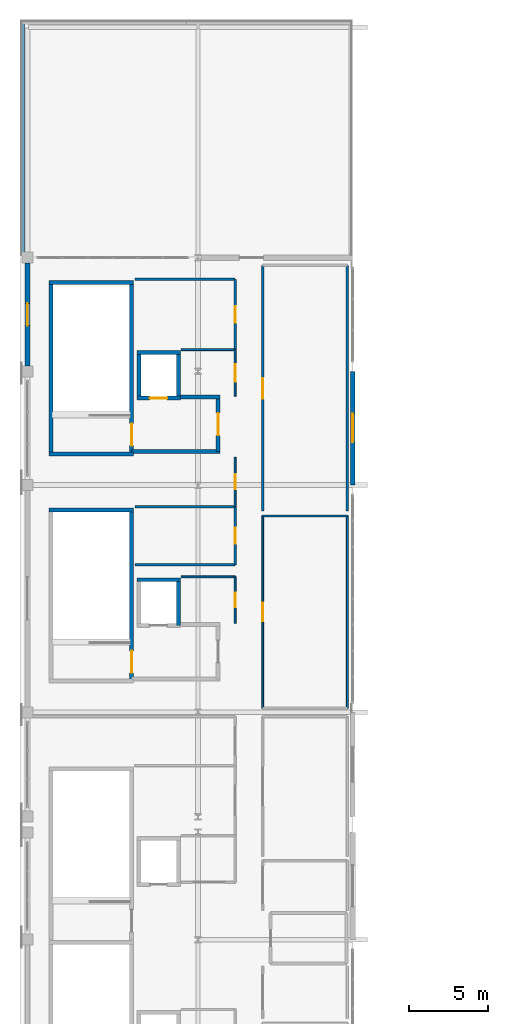
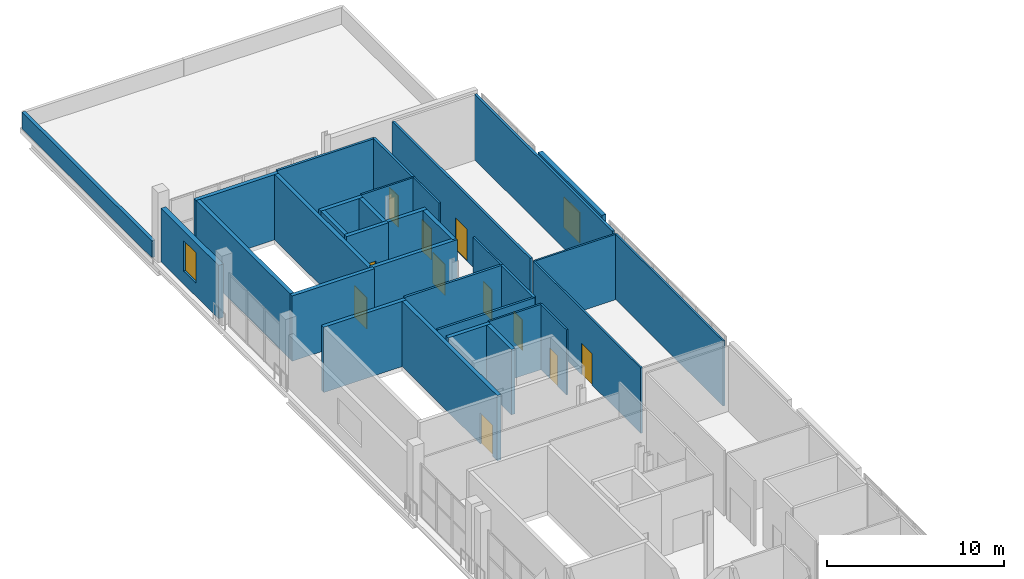
# One storey, part 15 of 19: 33 walls, 11 doors, 2 windows, 13 openings.
"""IFC4 building model written with IfcOpenShell, lengths in metres."""

from ifc_helpers import new_model, si_unit, direction, frame, frame_2d, origin, place, context, subcontext, project, spatial, rectangle, extrude, material, layer, layer_set, type_object, element, fill, save


model = new_model("IFC4")

# Units and contexts
model_context = context("Model", 3, precision=1e-05, world=origin(), true_north=direction((0.0, 1.0)))
body_context = subcontext(model_context, "Body", "Model", "MODEL_VIEW")
ifc_project = project(units=[si_unit("LENGTHUNIT", "METRE"), si_unit("AREAUNIT", "SQUARE_METRE"), si_unit("VOLUMEUNIT", "CUBIC_METRE"), si_unit("PLANEANGLEUNIT", "RADIAN"), si_unit("MASSUNIT", "GRAM", prefix="KILO")], contexts=[model_context])

# Site, building, storey
site_placement = place(None, origin())
site = spatial("IfcSite", under=ifc_project, at=site_placement, CompositionType="ELEMENT")
building_placement = place(site_placement, origin())
building = spatial("IfcBuilding", under=site, at=building_placement, Name="Koshinbarg Plaza Stadium", CompositionType="ELEMENT")
storey_placement = place(building_placement, frame((0.0, 0.0, 29.39990234375)))
storey = spatial("IfcBuildingStorey", under=building, at=storey_placement, Name="L06", CompositionType="ELEMENT", Elevation=29.39990234375)

# Wall
ifc_material_1 = material(Name="Concrete C40/50", Category="concrete")
ifc_layer_1 = layer(ifc_material_1, 0.25)
ifc_layer_set_1 = layer_set([ifc_layer_1], Name="Concrete C40/50")
wall_type_1 = type_object("IfcWallType", Name="WL-CORE-250", PredefinedType="SHEAR", material=ifc_layer_set_1)
wall_1_placement = place(storey_placement, frame((31.320068359375, 95.925048828125, 0.0), z_axis=(0.0, 0.0, 1.0), x_axis=(-1.0, 0.0, 0.0)))
element("IfcWall", 1, at=wall_1_placement, inside=storey, type_object=wall_type_1, Name="L06 core stair shear wall C05-far IWL-L06-0131", PredefinedType="SHEAR", context=body_context, shape_type="SweptSolid", body=[
    extrude(rectangle(XDim=5.3701171875, YDim=0.25, at=frame_2d((2.68505859375, 0.0))), origin(), (0.0, 0.0, 1.0), 4.5),
])

# Wall, opening, door
wall_2_placement = place(storey_placement, frame((31.195068359375, 85.074951171875, 0.0), z_axis=(0.0, 0.0, 1.0), x_axis=(0.0, 1.0, 0.0)))
wall_2 = element("IfcWall", 2, at=wall_2_placement, inside=storey, type_object=wall_type_1, Name="L06 core stair shear wall C05-right IWL-L06-0133", PredefinedType="SHEAR", context=body_context, shape_type="SweptSolid", body=[
    extrude(rectangle(XDim=10.85009765625, YDim=0.25, at=frame_2d((5.425048828125, 0.0))), origin(), (0.0, 0.0, 1.0), 4.5),
])
opening_1_placement = place(wall_2_placement, frame((0.52001953125, 0.0, 0.0)))
opening_1 = element("IfcOpeningElement", 3, at=opening_1_placement, cuts=wall_2, Name="Opening D-0095", PredefinedType="OPENING", context=body_context, shape_type="SweptSolid", body=[
    extrude(rectangle(XDim=1.39990234375, YDim=2.14990234375, at=frame_2d((0.699951171875, 1.074951171875))), frame((0.0, 0.135009765625, 0.0), z_axis=(0.0, -1.0, 0.0), x_axis=(1.0, 0.0, 0.0)), (0.0, 0.0, 1.0), 0.27001953125),
])
ifc_material_2 = material(Name="Painted galvanized steel fire door", Category="steel")
door_type_1 = type_object("IfcDoorType", Name="DR-STAIR-1400", OperationType="NOTDEFINED", PredefinedType="DOOR", material=ifc_material_2)
door_1_placement = place(opening_1_placement, origin())
door_1 = element("IfcDoor", 4, at=door_1_placement, inside=storey, type_object=door_type_1, Name="L06 exit stair door C05", OperationType="SINGLE_SWING_LEFT", OverallHeight=2.14990234375, OverallWidth=1.39990234375, PredefinedType="DOOR", context=body_context, shape_type="SweptSolid", body=[
    extrude(rectangle(XDim=1.39990234375, YDim=2.14990234375, at=frame_2d((0.699951171875, 1.074951171875))), frame((0.0, 0.02490234375, 0.0), z_axis=(0.0, -1.0, 0.0), x_axis=(1.0, 0.0, 0.0)), (0.0, 0.0, 1.0), 0.050048828125),
])
fill(opening_1, door_1)

# Walls
for number, where, z_axis, x_axis, name in (
    (5, (25.949951171875, 99.47509765625, 0.0), (0.0, 0.0, 1.0), (1.0, 0.0, 0.0), "L06 core stair shear wall C06-near IWL-L06-0158"),
    (6, (31.320068359375, 110.324951171875, 0.0), (0.0, 0.0, 1.0), (-1.0, 0.0, 0.0), "L06 core stair shear wall C06-far IWL-L06-0159"),
):
    element("IfcWall", number, at=place(storey_placement, frame(where, z_axis=z_axis, x_axis=x_axis)), inside=storey, type_object=wall_type_1, Name=name, PredefinedType="SHEAR", context=body_context, shape_type="SweptSolid", body=[
        extrude(rectangle(XDim=5.3701171875, YDim=0.25, at=frame_2d((2.68505859375, 0.0))), origin(), (0.0, 0.0, 1.0), 4.5),
    ])
wall_3_placement = place(storey_placement, frame((26.074951171875, 99.47509765625, 0.0), z_axis=(0.0, 0.0, 1.0), x_axis=(0.0, 1.0, 0.0)))
element("IfcWall", 7, at=wall_3_placement, inside=storey, type_object=wall_type_1, Name="L06 core stair shear wall C06-left IWL-L06-0160", PredefinedType="SHEAR", context=body_context, shape_type="SweptSolid", body=[
    extrude(rectangle(XDim=10.849853515625, YDim=0.25, at=frame_2d((5.4248046875, 0.0))), origin(), (0.0, 0.0, 1.0), 4.5),
])

# Wall, opening, door
wall_4_placement = place(storey_placement, frame((31.195068359375, 99.47509765625, 0.0), z_axis=(0.0, 0.0, 1.0), x_axis=(0.0, 1.0, 0.0)))
wall_4 = element("IfcWall", 8, at=wall_4_placement, inside=storey, type_object=wall_type_1, Name="L06 core stair shear wall C06-right IWL-L06-0161", PredefinedType="SHEAR", context=body_context, shape_type="SweptSolid", body=[
    extrude(rectangle(XDim=10.849853515625, YDim=0.25, at=frame_2d((5.4248046875, 0.0))), origin(), (0.0, 0.0, 1.0), 4.5),
])
opening_2_placement = place(wall_4_placement, frame((0.52001953125, 0.0, 0.0)))
opening_2 = element("IfcOpeningElement", 9, at=opening_2_placement, cuts=wall_4, Name="Opening D-0102", PredefinedType="OPENING", context=body_context, shape_type="SweptSolid", body=[
    extrude(rectangle(XDim=1.39990234375, YDim=2.14990234375, at=frame_2d((0.699951171875, 1.074951171875))), frame((0.0, 0.135009765625, 0.0), z_axis=(0.0, -1.0, 0.0), x_axis=(1.0, 0.0, 0.0)), (0.0, 0.0, 1.0), 0.27001953125),
])
door_2_placement = place(opening_2_placement, origin())
door_2 = element("IfcDoor", 10, at=door_2_placement, inside=storey, type_object=door_type_1, Name="L06 exit stair door C06", OperationType="SINGLE_SWING_LEFT", OverallHeight=2.14990234375, OverallWidth=1.39990234375, PredefinedType="DOOR", context=body_context, shape_type="SweptSolid", body=[
    extrude(rectangle(XDim=1.39990234375, YDim=2.14990234375, at=frame_2d((0.699951171875, 1.074951171875))), frame((0.0, 0.02490234375, 0.0), z_axis=(0.0, -1.0, 0.0), x_axis=(1.0, 0.0, 0.0)), (0.0, 0.0, 1.0), 0.050048828125),
])
fill(opening_2, door_2)

# Walls
wall_5_placement = place(storey_placement, frame((34.27490234375, 91.5, 0.0), z_axis=(0.0, 0.0, 1.0), x_axis=(-1.0, 0.0, 0.0)))
element("IfcWall", 11, at=wall_5_placement, inside=storey, type_object=wall_type_1, Name="L06 lift shaft shear wall FL03-N IWL-L06-0807", PredefinedType="SHEAR", context=body_context, shape_type="SweptSolid", body=[
    extrude(rectangle(XDim=2.75, YDim=0.25, at=frame_2d((1.375, 0.0))), origin(), (0.0, 0.0, 1.0), 4.5),
])
wall_6_placement = place(storey_placement, frame((34.14990234375, 88.60009765625, 0.0), z_axis=(0.0, 0.0, 1.0), x_axis=(0.0, 1.0, 0.0)))
element("IfcWall", 12, at=wall_6_placement, inside=storey, type_object=wall_type_1, Name="L06 lift shaft shear wall FL03-E IWL-L06-0809", PredefinedType="SHEAR", context=body_context, shape_type="SweptSolid", body=[
    extrude(rectangle(XDim=2.89990234375, YDim=0.25, at=frame_2d((1.449951171875, 0.0))), origin(), (0.0, 0.0, 1.0), 4.5),
])

# Wall, opening, door
wall_7_placement = place(storey_placement, frame((31.52490234375, 103.0, 0.0), z_axis=(0.0, 0.0, 1.0), x_axis=(1.0, 0.0, 0.0)))
wall_7 = element("IfcWall", 13, at=wall_7_placement, inside=storey, type_object=wall_type_1, Name="L06 lift shaft shear wall FL04-S IWL-L06-0855", PredefinedType="SHEAR", context=body_context, shape_type="SweptSolid", body=[
    extrude(rectangle(XDim=2.75, YDim=0.25, at=frame_2d((1.375, 0.0))), origin(), (0.0, 0.0, 1.0), 4.5),
])
opening_3_placement = place(wall_7_placement, frame((0.824951171875, 0.0, 0.0)))
opening_3 = element("IfcOpeningElement", 14, at=opening_3_placement, cuts=wall_7, Name="Opening D-0283", PredefinedType="OPENING", context=body_context, shape_type="SweptSolid", body=[
    extrude(rectangle(XDim=1.10009765625, YDim=2.14990234375, at=frame_2d((0.550048828125, 1.074951171875))), frame((0.0, 0.135009765625, 0.0), z_axis=(0.0, -1.0, 0.0), x_axis=(1.0, 0.0, 0.0)), (0.0, 0.0, 1.0), 0.27001953125),
])
ifc_material_3 = material(Name="Brushed stainless steel sliding lift landing door", Category="steel")
door_type_2 = type_object("IfcDoorType", Name="DR-LIFT-1100", OperationType="NOTDEFINED", PredefinedType="DOOR", material=ifc_material_3)
door_3_placement = place(opening_3_placement, origin())
door_3 = element("IfcDoor", 15, at=door_3_placement, inside=storey, type_object=door_type_2, Name="L06 lift landing door FL04", OperationType="SLIDING_TO_LEFT", OverallHeight=2.14990234375, OverallWidth=1.10009765625, PredefinedType="DOOR", context=body_context, shape_type="SweptSolid", body=[
    extrude(rectangle(XDim=1.10009765625, YDim=2.14990234375, at=frame_2d((0.550048828125, 1.074951171875))), frame((0.0, 0.02490234375, 0.0), z_axis=(0.0, -1.0, 0.0), x_axis=(1.0, 0.0, 0.0)), (0.0, 0.0, 1.0), 0.050048828125),
])
fill(opening_3, door_3)

# Walls
wall_8_placement = place(storey_placement, frame((34.27490234375, 105.89990234375, 0.0), z_axis=(0.0, 0.0, 1.0), x_axis=(-1.0, 0.0, 0.0)))
element("IfcWall", 16, at=wall_8_placement, inside=storey, type_object=wall_type_1, Name="L06 lift shaft shear wall FL04-N IWL-L06-0856", PredefinedType="SHEAR", context=body_context, shape_type="SweptSolid", body=[
    extrude(rectangle(XDim=2.75, YDim=0.25, at=frame_2d((1.375, 0.0))), origin(), (0.0, 0.0, 1.0), 4.5),
])
for number, where, z_axis, x_axis, name in (
    (17, (31.64990234375, 105.89990234375, 0.0), (0.0, 0.0, 1.0), (0.0, -1.0, 0.0), "L06 lift shaft shear wall FL04-W IWL-L06-0857"),
    (18, (34.14990234375, 103.0, 0.0), (0.0, 0.0, 1.0), (0.0, 1.0, 0.0), "L06 lift shaft shear wall FL04-E IWL-L06-0858"),
):
    element("IfcWall", number, at=place(storey_placement, frame(where, z_axis=z_axis, x_axis=x_axis)), inside=storey, type_object=wall_type_1, Name=name, PredefinedType="SHEAR", context=body_context, shape_type="SweptSolid", body=[
        extrude(rectangle(XDim=2.89990234375, YDim=0.25, at=frame_2d((1.449951171875, 0.0))), origin(), (0.0, 0.0, 1.0), 4.5),
    ])

# Wall, opening, door
wall_9_placement = place(storey_placement, frame((36.675048828125, 99.625, 0.0), z_axis=(0.0, 0.0, 1.0), x_axis=(0.0, 1.0, 0.0)))
wall_9 = element("IfcWall", 19, at=wall_9_placement, inside=storey, type_object=wall_type_1, Name="L06 firefighting lobby wall C06-E IWL-L06-0859", PredefinedType="SHEAR", context=body_context, shape_type="SweptSolid", body=[
    extrude(rectangle(XDim=3.449951171875, YDim=0.25, at=frame_2d((1.72509765625, 0.0))), origin(), (0.0, 0.0, 1.0), 4.5),
])
opening_4_placement = place(wall_9_placement, frame((1.02490234375, 0.0, 0.0)))
opening_4 = element("IfcOpeningElement", 20, at=opening_4_placement, cuts=wall_9, Name="Opening D-0284", PredefinedType="OPENING", context=body_context, shape_type="SweptSolid", body=[
    extrude(rectangle(XDim=1.39990234375, YDim=2.14990234375, at=frame_2d((0.699951171875, 1.074951171875))), frame((0.0, 0.135009765625, 0.0), z_axis=(0.0, -1.0, 0.0), x_axis=(1.0, 0.0, 0.0)), (0.0, 0.0, 1.0), 0.27001953125),
])
ifc_material_4 = material(Name="Smoke-sealed steel firefighting lobby door", Category="steel")
door_type_3 = type_object("IfcDoorType", Name="DR-FFLOB-1400", OperationType="NOTDEFINED", PredefinedType="DOOR", material=ifc_material_4)
door_4_placement = place(opening_4_placement, origin())
door_4 = element("IfcDoor", 21, at=door_4_placement, inside=storey, type_object=door_type_3, Name="L06 firefighting lobby fire door C06", OperationType="DOUBLE_DOOR_SINGLE_SWING", OverallHeight=2.14990234375, OverallWidth=1.39990234375, PredefinedType="DOOR", context=body_context, shape_type="SweptSolid", body=[
    extrude(rectangle(XDim=1.39990234375, YDim=2.14990234375, at=frame_2d((0.699951171875, 1.074951171875))), frame((0.0, 0.02490234375, 0.0), z_axis=(0.0, -1.0, 0.0), x_axis=(1.0, 0.0, 0.0)), (0.0, 0.0, 1.0), 0.050048828125),
])
fill(opening_4, door_4)

# Walls
wall_10_placement = place(storey_placement, frame((34.27490234375, 103.074951171875, 0.0), z_axis=(0.0, 0.0, 1.0), x_axis=(1.0, 0.0, 0.0)))
element("IfcWall", 22, at=wall_10_placement, inside=storey, type_object=wall_type_1, Name="L06 firefighting lobby wall C06-NE IWL-L06-0860", PredefinedType="SHEAR", context=body_context, shape_type="SweptSolid", body=[
    extrude(rectangle(XDim=2.525146484375, YDim=0.25, at=frame_2d((1.2626953125, 0.0))), origin(), (0.0, 0.0, 1.0), 4.5),
])
wall_11_placement = place(storey_placement, frame((31.199951171875, 99.625, 0.0), z_axis=(0.0, 0.0, 1.0), x_axis=(1.0, 0.0, 0.0)))
element("IfcWall", 23, at=wall_11_placement, inside=storey, type_object=wall_type_1, Name="L06 firefighting lobby wall C06-S IWL-L06-0861", PredefinedType="SHEAR", context=body_context, shape_type="SweptSolid", body=[
    extrude(rectangle(XDim=5.60009765625, YDim=0.25, at=frame_2d((2.800048828125, 0.0))), origin(), (0.0, 0.0, 1.0), 4.5),
])

# Wall, opening, window
ifc_material_5 = material(Name="Terracotta-ochre mineral plaster insulated wall", Category="masonry")
ifc_layer_2 = layer(ifc_material_5, 0.280029296875)
ifc_layer_set_2 = layer_set([ifc_layer_2], Name="Terracotta-ochre mineral plaster insulated wall")
wall_type_2 = type_object("IfcWallType", Name="WL-EXT-280", PredefinedType="SOLIDWALL", material=ifc_layer_set_2)
wall_12_placement = place(storey_placement, frame((45.199951171875, 104.699951171875, 0.0), z_axis=(0.0, 0.0, 1.0), x_axis=(0.0, -1.0, 0.0)))
wall_12 = element("IfcWall", 24, at=wall_12_placement, inside=storey, type_object=wall_type_2, Name="L06 exterior envelope wall EWL-L06-0252", PredefinedType="SOLIDWALL", context=body_context, shape_type="SweptSolid", body=[
    extrude(rectangle(XDim=7.199951171875, YDim=0.280029296875, at=frame_2d((3.60009765625, 0.0))), origin(), (0.0, 0.0, 1.0), 4.47998046875),
])
opening_5_placement = place(wall_12_placement, frame((2.699951171875, 0.0, 0.89990234375)))
opening_5 = element("IfcOpeningElement", 25, at=opening_5_placement, cuts=wall_12, Name="Opening WN14", PredefinedType="OPENING", context=body_context, shape_type="SweptSolid", body=[
    extrude(rectangle(XDim=1.800048828125, YDim=2.10009765625, at=frame_2d((0.89990234375, 1.050048828125))), frame((0.0, 0.14990234375, 0.0), z_axis=(0.0, -1.0, 0.0), x_axis=(1.0, 0.0, 0.0)), (0.0, 0.0, 1.0), 0.300048828125),
])
ifc_material_6 = material(Name="Solar-control double glazing in thermally broken aluminium frame", Category="aluminium")
window_type_1 = type_object("IfcWindowType", Name="WN-FAC-14", PartitioningType="DOUBLE_PANEL_VERTICAL", PredefinedType="WINDOW", material=ifc_material_6)
window_1_placement = place(opening_5_placement, origin())
window_1 = element("IfcWindow", 26, at=window_1_placement, inside=storey, type_object=window_type_1, Name="L06 facade window 0182", OverallHeight=2.10009765625, OverallWidth=1.800048828125, PartitioningType="SINGLE_PANEL", PredefinedType="WINDOW", context=body_context, shape_type="SweptSolid", body=[
    extrude(rectangle(XDim=1.800048828125, YDim=2.10009765625, at=frame_2d((0.89990234375, 1.050048828125))), frame((0.0, 0.030029296875, 0.0), z_axis=(0.0, -1.0, 0.0), x_axis=(1.0, 0.0, 0.0)), (0.0, 0.0, 1.0), 0.06005859375),
])
fill(opening_5, window_1)

ifc_material_7 = material(Name="Ultramarine-blue pigmented mineral plaster facade wall", Category="masonry")
ifc_layer_3 = layer(ifc_material_7, 0.320068359375)
ifc_layer_set_3 = layer_set([ifc_layer_3], Name="Ultramarine-blue pigmented mineral plaster facade wall")
wall_type_3 = type_object("IfcWallType", Name="WL-EXT-320", PredefinedType="SOLIDWALL", material=ifc_layer_set_3)
wall_13_placement = place(storey_placement, frame((24.60009765625, 105.044921875, 0.0), z_axis=(0.0, 0.0, 1.0), x_axis=(0.0, 1.0, 0.0)))
wall_13 = element("IfcWall", 27, at=wall_13_placement, inside=storey, type_object=wall_type_3, Name="L06 exterior envelope wall EWL-L06-0250", PredefinedType="SOLIDWALL", context=body_context, shape_type="SweptSolid", body=[
    extrude(rectangle(XDim=6.510009765625, YDim=0.320068359375, at=frame_2d((3.2548828125, 0.0))), origin(), (0.0, 0.0, 1.0), 3.68017578125),
])
opening_6_placement = place(wall_13_placement, frame((2.554931640625, 0.0, 0.89990234375)))
opening_6 = element("IfcOpeningElement", 28, at=opening_6_placement, cuts=wall_13, Name="Opening WN13", PredefinedType="OPENING", context=body_context, shape_type="SweptSolid", body=[
    extrude(rectangle(XDim=1.39990234375, YDim=2.10009765625, at=frame_2d((0.699951171875, 1.050048828125))), frame((0.0, 0.169921875, 0.0), z_axis=(0.0, -1.0, 0.0), x_axis=(1.0, 0.0, 0.0)), (0.0, 0.0, 1.0), 0.340087890625),
])
window_type_2 = type_object("IfcWindowType", Name="WN-FAC-13", PartitioningType="DOUBLE_PANEL_VERTICAL", PredefinedType="WINDOW", material=ifc_material_6)
window_2_placement = place(opening_6_placement, origin())
window_2 = element("IfcWindow", 29, at=window_2_placement, inside=storey, type_object=window_type_2, Name="L06 facade window 0181", OverallHeight=2.10009765625, OverallWidth=1.39990234375, PartitioningType="SINGLE_PANEL", PredefinedType="WINDOW", context=body_context, shape_type="SweptSolid", body=[
    extrude(rectangle(XDim=1.39990234375, YDim=2.10009765625, at=frame_2d((0.699951171875, 1.050048828125))), frame((0.0, 0.030029296875, 0.0), z_axis=(0.0, -1.0, 0.0), x_axis=(1.0, 0.0, 0.0)), (0.0, 0.0, 1.0), 0.06005859375),
])
fill(opening_6, window_2)

# Wall
ifc_material_8 = material(Name="Precast concrete C40/50", Category="concrete")
ifc_layer_4 = layer(ifc_material_8, 0.219970703125)
ifc_layer_set_4 = layer_set([ifc_layer_4], Name="Precast concrete C40/50")
wall_type_4 = type_object("IfcWallType", Name="WL-PAR-220", PredefinedType="PARAPET", material=ifc_layer_set_4)
wall_14_placement = place(storey_placement, frame((24.294921875, 126.804931640625, 0.0), z_axis=(0.0, 0.0, 1.0), x_axis=(0.0, -1.0, 0.0)))
element("IfcWall", 30, at=wall_14_placement, inside=storey, type_object=wall_type_4, Name="L06 roof garden parapet 035", PredefinedType="PARAPET", context=body_context, shape_type="SweptSolid", body=[
    extrude(rectangle(XDim=14.6650390625, YDim=0.219970703125, at=frame_2d((7.33251953125, 0.0))), origin(), (0.0, 0.0, 1.0), 1.150146484375),
])

# Wall, opening, door
ifc_material_9 = material(Name="Gypsum board metal-stud acoustic partition")
ifc_layer_5 = layer(ifc_material_9, 0.1201171875)
ifc_layer_set_5 = layer_set([ifc_layer_5], Name="Gypsum board metal-stud acoustic partition")
wall_type_5 = type_object("IfcWallType", Name="WL-PART-120", PredefinedType="PARTITIONING", material=ifc_layer_set_5)
wall_15_placement = place(storey_placement, frame((37.75, 88.72998046875, 0.0), z_axis=(0.0, 0.0, 1.0), x_axis=(0.0, 1.0, 0.0)))
wall_15 = element("IfcWall", 31, at=wall_15_placement, inside=storey, type_object=wall_type_5, Name="L06 interior partition L06-37-east IWL-L06-2430", PredefinedType="PARTITIONING", context=body_context, shape_type="SweptSolid", body=[
    extrude(rectangle(XDim=2.949951171875, YDim=0.1201171875, at=frame_2d((1.47509765625, 0.0))), origin(), (0.0, 0.0, 1.0), 4.5),
])
opening_7_placement = place(wall_15_placement, frame((1.014892578125, 0.0, 0.0)))
opening_7 = element("IfcOpeningElement", 32, at=opening_7_placement, cuts=wall_15, Name="Opening D-0844", PredefinedType="OPENING", context=body_context, shape_type="SweptSolid", body=[
    extrude(rectangle(XDim=0.919921875, YDim=2.10009765625, at=frame_2d((0.4599609375, 1.050048828125))), frame((0.0, 0.070068359375, 0.0), z_axis=(0.0, -1.0, 0.0), x_axis=(1.0, 0.0, 0.0)), (0.0, 0.0, 1.0), 0.14013671875),
])
ifc_material_10 = material(Name="Solid-core oak veneer acoustic door")
door_type_4 = type_object("IfcDoorType", Name="DR-INT-0920x2100", OperationType="NOTDEFINED", PredefinedType="DOOR", material=ifc_material_10)
door_5_placement = place(opening_7_placement, origin())
door_5 = element("IfcDoor", 33, at=door_5_placement, inside=storey, type_object=door_type_4, Name="L06 Executive Board Dining Room door D-0844", OperationType="SINGLE_SWING_RIGHT", OverallHeight=2.10009765625, OverallWidth=0.919921875, PredefinedType="DOOR", context=body_context, shape_type="SweptSolid", body=[
    extrude(rectangle(XDim=0.919921875, YDim=2.10009765625, at=frame_2d((0.4599609375, 1.050048828125))), frame((0.0, 0.02490234375, 0.0), z_axis=(0.0, -1.0, 0.0), x_axis=(1.0, 0.0, 0.0)), (0.0, 0.0, 1.0), 0.050048828125),
])
fill(opening_7, door_5)

# Wall
wall_16_placement = place(storey_placement, frame((37.75, 91.679931640625, 0.0), z_axis=(0.0, 0.0, 1.0), x_axis=(-1.0, 0.0, 0.0)))
element("IfcWall", 34, at=wall_16_placement, inside=storey, type_object=wall_type_5, Name="L06 interior partition L06-37-north IWL-L06-2431", PredefinedType="PARTITIONING", context=body_context, shape_type="SweptSolid", body=[
    extrude(rectangle(XDim=3.419921875, YDim=0.1201171875, at=frame_2d((1.7099609375, 0.0))), origin(), (0.0, 0.0, 1.0), 4.5),
])

# Wall, opening, door
wall_17_placement = place(storey_placement, frame((37.75, 96.1298828125, 0.0), z_axis=(0.0, 0.0, 1.0), x_axis=(0.0, 1.0, 0.0)))
wall_17 = element("IfcWall", 35, at=wall_17_placement, inside=storey, type_object=wall_type_5, Name="L06 interior partition L06-38-east IWL-L06-2432", PredefinedType="PARTITIONING", context=body_context, shape_type="SweptSolid", body=[
    extrude(rectangle(XDim=3.14013671875, YDim=0.1201171875, at=frame_2d((1.570068359375, 0.0))), origin(), (0.0, 0.0, 1.0), 4.5),
])
opening_8_placement = place(wall_17_placement, frame((1.090087890625, 0.0, 0.0)))
opening_8 = element("IfcOpeningElement", 36, at=opening_8_placement, cuts=wall_17, Name="Opening D-0845", PredefinedType="OPENING", context=body_context, shape_type="SweptSolid", body=[
    extrude(rectangle(XDim=0.9599609375, YDim=2.10009765625, at=frame_2d((0.47998046875, 1.050048828125))), frame((0.0, 0.070068359375, 0.0), z_axis=(0.0, -1.0, 0.0), x_axis=(1.0, 0.0, 0.0)), (0.0, 0.0, 1.0), 0.14013671875),
])
door_type_5 = type_object("IfcDoorType", Name="DR-INT-0960x2100", OperationType="NOTDEFINED", PredefinedType="DOOR", material=ifc_material_10)
door_6_placement = place(opening_8_placement, origin())
door_6 = element("IfcDoor", 37, at=door_6_placement, inside=storey, type_object=door_type_5, Name="L06 Sky Observatory Salon door D-0845", OperationType="SINGLE_SWING_LEFT", OverallHeight=2.10009765625, OverallWidth=0.9599609375, PredefinedType="DOOR", context=body_context, shape_type="SweptSolid", body=[
    extrude(rectangle(XDim=0.9599609375, YDim=2.10009765625, at=frame_2d((0.47998046875, 1.050048828125))), frame((0.0, 0.02490234375, 0.0), z_axis=(0.0, -1.0, 0.0), x_axis=(1.0, 0.0, 0.0)), (0.0, 0.0, 1.0), 0.050048828125),
])
fill(opening_8, door_6)

wall_18_placement = place(storey_placement, frame((37.75, 103.1298828125, 0.0), z_axis=(0.0, 0.0, 1.0), x_axis=(0.0, 1.0, 0.0)))
wall_18 = element("IfcWall", 38, at=wall_18_placement, inside=storey, type_object=wall_type_5, Name="L06 interior partition L06-41-east IWL-L06-2438", PredefinedType="PARTITIONING", context=body_context, shape_type="SweptSolid", body=[
    extrude(rectangle(XDim=2.9501953125, YDim=0.1201171875, at=frame_2d((1.47509765625, 0.0))), origin(), (0.0, 0.0, 1.0), 4.5),
])
opening_9_placement = place(wall_18_placement, frame((0.9150390625, 0.0, 0.0)))
opening_9 = element("IfcOpeningElement", 39, at=opening_9_placement, cuts=wall_18, Name="Opening D-0848", PredefinedType="OPENING", context=body_context, shape_type="SweptSolid", body=[
    extrude(rectangle(XDim=1.1201171875, YDim=2.14990234375, at=frame_2d((0.56005859375, 1.074951171875))), frame((0.0, 0.070068359375, 0.0), z_axis=(0.0, -1.0, 0.0), x_axis=(1.0, 0.0, 0.0)), (0.0, 0.0, 1.0), 0.14013671875),
])
ifc_material_11 = material(Name="Acoustic timber broadcast studio door", Category="wood")
door_type_6 = type_object("IfcDoorType", Name="DR-INT-1120x2150", OperationType="NOTDEFINED", PredefinedType="DOOR", material=ifc_material_11)
door_7_placement = place(opening_9_placement, origin())
door_7 = element("IfcDoor", 40, at=door_7_placement, inside=storey, type_object=door_type_6, Name="L06 Championship Trophy Hall door D-0848", OperationType="SINGLE_SWING_RIGHT", OverallHeight=2.14990234375, OverallWidth=1.1201171875, PredefinedType="DOOR", context=body_context, shape_type="SweptSolid", body=[
    extrude(rectangle(XDim=1.1201171875, YDim=2.14990234375, at=frame_2d((0.56005859375, 1.074951171875))), frame((0.0, 0.02490234375, 0.0), z_axis=(0.0, -1.0, 0.0), x_axis=(1.0, 0.0, 0.0)), (0.0, 0.0, 1.0), 0.050048828125),
])
fill(opening_9, door_7)

# Walls
wall_19_placement = place(storey_placement, frame((37.75, 106.080078125, 0.0), z_axis=(0.0, 0.0, 1.0), x_axis=(-1.0, 0.0, 0.0)))
element("IfcWall", 41, at=wall_19_placement, inside=storey, type_object=wall_type_5, Name="L06 interior partition L06-41-north IWL-L06-2439", PredefinedType="PARTITIONING", context=body_context, shape_type="SweptSolid", body=[
    extrude(rectangle(XDim=3.419921875, YDim=0.1201171875, at=frame_2d((1.7099609375, 0.0))), origin(), (0.0, 0.0, 1.0), 4.5),
])
wall_20_placement = place(storey_placement, frame((44.860107421875, 83.3701171875, 0.0), z_axis=(0.0, 0.0, 1.0), x_axis=(0.0, 1.0, 0.0)))
element("IfcWall", 42, at=wall_20_placement, inside=storey, type_object=wall_type_5, Name="L06 interior partition L06-42-east IWL-L06-2441", PredefinedType="PARTITIONING", context=body_context, shape_type="SweptSolid", body=[
    extrude(rectangle(XDim=12.16943359375, YDim=0.1201171875, at=frame_2d((6.084716796875, 0.0))), origin(), (0.0, 0.0, 1.0), 4.5),
])
wall_21_placement = place(storey_placement, frame((44.860107421875, 95.53955078125, 0.0), z_axis=(0.0, 0.0, 1.0), x_axis=(-1.0, 0.0, 0.0)))
element("IfcWall", 43, at=wall_21_placement, inside=storey, type_object=wall_type_5, Name="L06 interior partition L06-42-north IWL-L06-2442", PredefinedType="PARTITIONING", context=body_context, shape_type="SweptSolid", body=[
    extrude(rectangle(XDim=5.360107421875, YDim=0.1201171875, at=frame_2d((2.68017578125, 0.0))), origin(), (0.0, 0.0, 1.0), 4.5),
])

# Wall, opening, door
wall_22_placement = place(storey_placement, frame((39.5, 95.53955078125, 0.0), z_axis=(0.0, 0.0, 1.0), x_axis=(0.0, -1.0, 0.0)))
wall_22 = element("IfcWall", 44, at=wall_22_placement, inside=storey, type_object=wall_type_5, Name="L06 interior partition L06-42-west IWL-L06-2443", PredefinedType="PARTITIONING", context=body_context, shape_type="SweptSolid", body=[
    extrude(rectangle(XDim=12.16943359375, YDim=0.1201171875, at=frame_2d((6.084716796875, 0.0))), origin(), (0.0, 0.0, 1.0), 4.5),
])
opening_10_placement = place(wall_22_placement, frame((5.48486328125, 0.0, 0.0)))
opening_10 = element("IfcOpeningElement", 45, at=opening_10_placement, cuts=wall_22, Name="Opening D-0849", PredefinedType="OPENING", context=body_context, shape_type="SweptSolid", body=[
    extrude(rectangle(XDim=1.199951171875, YDim=2.14990234375, at=frame_2d((0.60009765625, 1.074951171875))), frame((0.0, 0.070068359375, 0.0), z_axis=(0.0, -1.0, 0.0), x_axis=(1.0, 0.0, 0.0)), (0.0, 0.0, 1.0), 0.14013671875),
])
ifc_material_12 = material(Name="Solid-core hardwood leaf in painted steel frame", Category="steel")
door_type_7 = type_object("IfcDoorType", Name="DR-INT-1200x2150", OperationType="NOTDEFINED", PredefinedType="DOOR", material=ifc_material_12)
door_8_placement = place(opening_10_placement, origin())
door_8 = element("IfcDoor", 46, at=door_8_placement, inside=storey, type_object=door_type_7, Name="L06 Sky Observatory Salon door D-0849", OperationType="SINGLE_SWING_LEFT", OverallHeight=2.14990234375, OverallWidth=1.199951171875, PredefinedType="DOOR", context=body_context, shape_type="SweptSolid", body=[
    extrude(rectangle(XDim=1.199951171875, YDim=2.14990234375, at=frame_2d((0.60009765625, 1.074951171875))), frame((0.0, 0.02490234375, 0.0), z_axis=(0.0, -1.0, 0.0), x_axis=(1.0, 0.0, 0.0)), (0.0, 0.0, 1.0), 0.050048828125),
])
fill(opening_10, door_8)

# Wall
ifc_material_13 = material(Name="Double-layer gypsum acoustic suite partition")
ifc_layer_6 = layer(ifc_material_13, 0.14990234375)
ifc_layer_set_6 = layer_set([ifc_layer_6], Name="Double-layer gypsum acoustic suite partition")
wall_type_6 = type_object("IfcWallType", Name="WL-PART-150", PredefinedType="PARTITIONING", material=ifc_layer_set_6)
wall_23_placement = place(storey_placement, frame((31.39990234375, 92.438720703125, 0.0), z_axis=(0.0, 0.0, 1.0), x_axis=(1.0, 0.0, 0.0)))
element("IfcWall", 47, at=wall_23_placement, inside=storey, type_object=wall_type_6, Name="L06 interior partition L06-39-south IWL-L06-2433", PredefinedType="PARTITIONING", context=body_context, shape_type="SweptSolid", body=[
    extrude(rectangle(XDim=6.35009765625, YDim=0.14990234375, at=frame_2d((3.175048828125, 0.0))), origin(), (0.0, 0.0, 1.0), 4.5),
])

# Wall, opening, door
wall_24_placement = place(storey_placement, frame((37.75, 92.438720703125, 0.0), z_axis=(0.0, 0.0, 1.0), x_axis=(0.0, 1.0, 0.0)))
wall_24 = element("IfcWall", 48, at=wall_24_placement, inside=storey, type_object=wall_type_6, Name="L06 interior partition L06-39-east IWL-L06-2434", PredefinedType="PARTITIONING", context=body_context, shape_type="SweptSolid", body=[
    extrude(rectangle(XDim=3.691162109375, YDim=0.14990234375, at=frame_2d((1.845703125, 0.0))), origin(), (0.0, 0.0, 1.0), 4.5),
])
opening_11_placement = place(wall_24_placement, frame((1.345703125, 0.0, 0.0)))
opening_11 = element("IfcOpeningElement", 49, at=opening_11_placement, cuts=wall_24, Name="Opening D-0846", PredefinedType="OPENING", context=body_context, shape_type="SweptSolid", body=[
    extrude(rectangle(XDim=1.0, YDim=2.10009765625, at=frame_2d((0.5, 1.050048828125))), frame((0.0, 0.0849609375, 0.0), z_axis=(0.0, -1.0, 0.0), x_axis=(1.0, 0.0, 0.0)), (0.0, 0.0, 1.0), 0.169921875),
])
ifc_material_14 = material(Name="Solid-core laminate accessible WC door")
door_type_8 = type_object("IfcDoorType", Name="DR-INT-1000x2100", OperationType="NOTDEFINED", PredefinedType="DOOR", material=ifc_material_14)
door_9_placement = place(opening_11_placement, origin())
door_9 = element("IfcDoor", 50, at=door_9_placement, inside=storey, type_object=door_type_8, Name="L06 Broadcast Camera and VAR Control door D-0846", OperationType="SINGLE_SWING_RIGHT", OverallHeight=2.10009765625, OverallWidth=1.0, PredefinedType="DOOR", context=body_context, shape_type="SweptSolid", body=[
    extrude(rectangle(XDim=1.0, YDim=2.10009765625, at=frame_2d((0.5, 1.050048828125))), frame((0.0, 0.02490234375, 0.0), z_axis=(0.0, -1.0, 0.0), x_axis=(1.0, 0.0, 0.0)), (0.0, 0.0, 1.0), 0.050048828125),
])
fill(opening_11, door_9)

# Wall
wall_25_placement = place(storey_placement, frame((37.75, 96.1298828125, 0.0), z_axis=(0.0, 0.0, 1.0), x_axis=(-1.0, 0.0, 0.0)))
element("IfcWall", 51, at=wall_25_placement, inside=storey, type_object=wall_type_6, Name="L06 interior partition L06-39-north IWL-L06-2435", PredefinedType="PARTITIONING", context=body_context, shape_type="SweptSolid", body=[
    extrude(rectangle(XDim=6.35009765625, YDim=0.14990234375, at=frame_2d((3.175048828125, 0.0))), origin(), (0.0, 0.0, 1.0), 4.5),
])

# Wall, opening, door
wall_26_placement = place(storey_placement, frame((37.75, 106.080078125, 0.0), z_axis=(0.0, 0.0, 1.0), x_axis=(0.0, 1.0, 0.0)))
wall_26 = element("IfcWall", 52, at=wall_26_placement, inside=storey, type_object=wall_type_6, Name="L06 interior partition L06-40-east IWL-L06-2436", PredefinedType="PARTITIONING", context=body_context, shape_type="SweptSolid", body=[
    extrude(rectangle(XDim=4.449951171875, YDim=0.14990234375, at=frame_2d((2.22509765625, 0.0))), origin(), (0.0, 0.0, 1.0), 4.5),
])
opening_12_placement = place(wall_26_placement, frame((1.699951171875, 0.0, 0.0)))
opening_12 = element("IfcOpeningElement", 53, at=opening_12_placement, cuts=wall_26, Name="Opening D-0847", PredefinedType="OPENING", context=body_context, shape_type="SweptSolid", body=[
    extrude(rectangle(XDim=1.050048828125, YDim=2.14990234375, at=frame_2d((0.52490234375, 1.074951171875))), frame((0.0, 0.0849609375, 0.0), z_axis=(0.0, -1.0, 0.0), x_axis=(1.0, 0.0, 0.0)), (0.0, 0.0, 1.0), 0.169921875),
])
ifc_material_15 = material(Name="Solid-core oak suite entrance door")
door_type_9 = type_object("IfcDoorType", Name="DR-INT-1050x2150", OperationType="NOTDEFINED", PredefinedType="DOOR", material=ifc_material_15)
door_10_placement = place(opening_12_placement, origin())
door_10 = element("IfcDoor", 54, at=door_10_placement, inside=storey, type_object=door_type_9, Name="L06 Broadcast Camera and VAR Control door D-0847", OperationType="SINGLE_SWING_LEFT", OverallHeight=2.14990234375, OverallWidth=1.050048828125, PredefinedType="DOOR", context=body_context, shape_type="SweptSolid", body=[
    extrude(rectangle(XDim=1.050048828125, YDim=2.14990234375, at=frame_2d((0.52490234375, 1.074951171875))), frame((0.0, 0.02490234375, 0.0), z_axis=(0.0, -1.0, 0.0), x_axis=(1.0, 0.0, 0.0)), (0.0, 0.0, 1.0), 0.050048828125),
])
fill(opening_12, door_10)

# Walls
wall_27_placement = place(storey_placement, frame((37.75, 110.530029296875, 0.0), z_axis=(0.0, 0.0, 1.0), x_axis=(-1.0, 0.0, 0.0)))
element("IfcWall", 55, at=wall_27_placement, inside=storey, type_object=wall_type_6, Name="L06 interior partition L06-40-north IWL-L06-2437", PredefinedType="PARTITIONING", context=body_context, shape_type="SweptSolid", body=[
    extrude(rectangle(XDim=6.35009765625, YDim=0.14990234375, at=frame_2d((3.175048828125, 0.0))), origin(), (0.0, 0.0, 1.0), 4.5),
])
wall_28_placement = place(storey_placement, frame((44.860107421875, 95.839599609375, 0.0), z_axis=(0.0, 0.0, 1.0), x_axis=(0.0, 1.0, 0.0)))
element("IfcWall", 56, at=wall_28_placement, inside=storey, type_object=wall_type_6, Name="L06 interior partition L06-43-east IWL-L06-2444", PredefinedType="PARTITIONING", context=body_context, shape_type="SweptSolid", body=[
    extrude(rectangle(XDim=15.5703125, YDim=0.14990234375, at=frame_2d((7.78515625, 0.0))), origin(), (0.0, 0.0, 1.0), 4.5),
])

# Wall, opening, door
wall_29_placement = place(storey_placement, frame((39.5, 111.409912109375, 0.0), z_axis=(0.0, 0.0, 1.0), x_axis=(0.0, -1.0, 0.0)))
wall_29 = element("IfcWall", 57, at=wall_29_placement, inside=storey, type_object=wall_type_6, Name="L06 interior partition L06-43-west IWL-L06-2446", PredefinedType="PARTITIONING", context=body_context, shape_type="SweptSolid", body=[
    extrude(rectangle(XDim=15.5703125, YDim=0.14990234375, at=frame_2d((7.78515625, 0.0))), origin(), (0.0, 0.0, 1.0), 4.5),
])
opening_13_placement = place(wall_29_placement, frame((7.13525390625, 0.0, 0.0)))
opening_13 = element("IfcOpeningElement", 58, at=opening_13_placement, cuts=wall_29, Name="Opening D-0850", PredefinedType="OPENING", context=body_context, shape_type="SweptSolid", body=[
    extrude(rectangle(XDim=1.300048828125, YDim=2.199951171875, at=frame_2d((0.64990234375, 1.10009765625))), frame((0.0, 0.0849609375, 0.0), z_axis=(0.0, -1.0, 0.0), x_axis=(1.0, 0.0, 0.0)), (0.0, 0.0, 1.0), 0.169921875),
])
ifc_material_16 = material(Name="Thermally broken anodised aluminium glazed door", Category="aluminium")
door_type_10 = type_object("IfcDoorType", Name="DR-INT-1300x2200", OperationType="NOTDEFINED", PredefinedType="DOOR", material=ifc_material_16)
door_11_placement = place(opening_13_placement, origin())
door_11 = element("IfcDoor", 59, at=door_11_placement, inside=storey, type_object=door_type_10, Name="L06 Broadcast Camera and VAR Control door D-0850", OperationType="SINGLE_SWING_RIGHT", OverallHeight=2.199951171875, OverallWidth=1.300048828125, PredefinedType="DOOR", context=body_context, shape_type="SweptSolid", body=[
    extrude(rectangle(XDim=1.300048828125, YDim=2.199951171875, at=frame_2d((0.64990234375, 1.10009765625))), frame((0.0, 0.02490234375, 0.0), z_axis=(0.0, -1.0, 0.0), x_axis=(1.0, 0.0, 0.0)), (0.0, 0.0, 1.0), 0.050048828125),
])
fill(opening_13, door_11)

save(model, "model.ifc")
